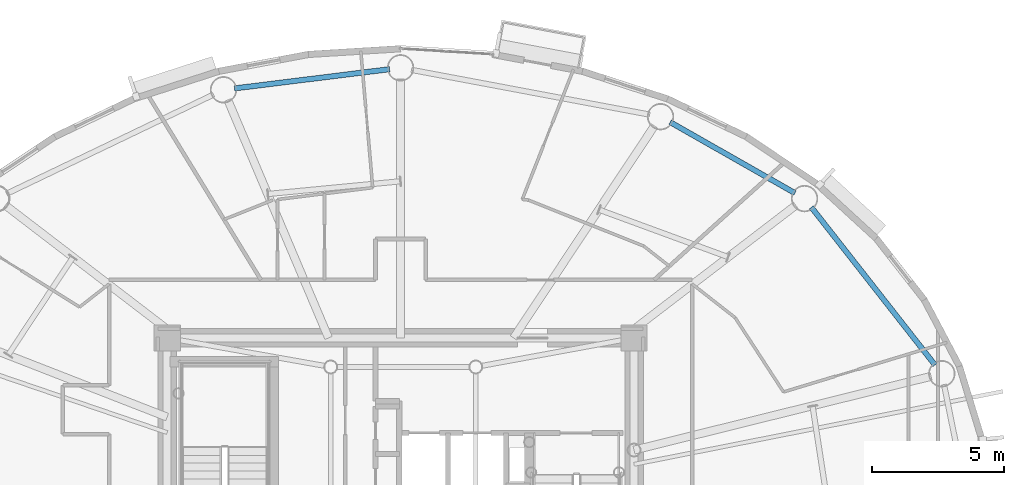
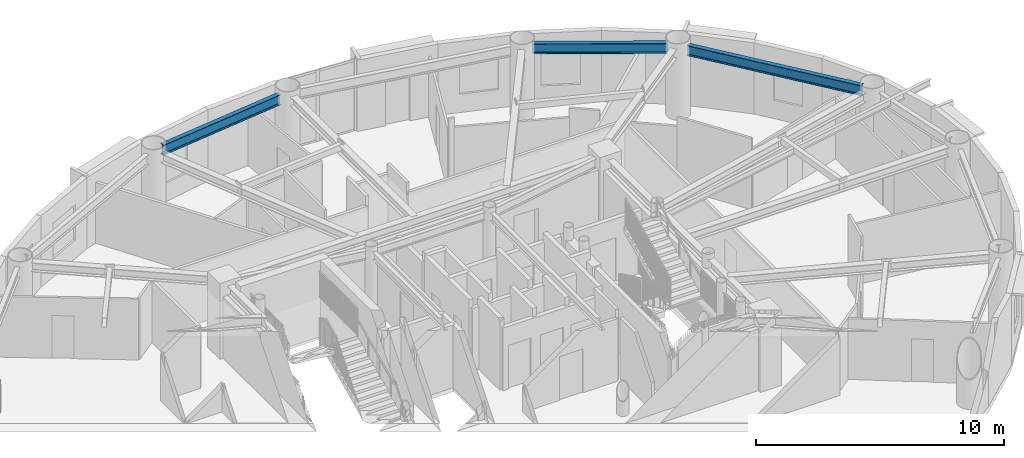
# One storey, part 3 of 18: 3 beams.
"""IFC4 building model written with IfcOpenShell, lengths in metres."""

from ifc_helpers import new_model, si_unit, direction, frame, origin, origin_2d, place, context, subcontext, project, spatial, i_section, extrude, material, material_profile, profile_set, type_object, element, save


model = new_model("IFC4")

# Units and contexts
model_context = context("Model", 3, precision=1e-05, world=origin(), true_north=direction((0.0, 1.0)))
body_context = subcontext(model_context, "Body", "Model", "MODEL_VIEW")
ifc_project = project(units=[si_unit("LENGTHUNIT", "METRE"), si_unit("AREAUNIT", "SQUARE_METRE"), si_unit("VOLUMEUNIT", "CUBIC_METRE"), si_unit("PLANEANGLEUNIT", "RADIAN"), si_unit("MASSUNIT", "GRAM", prefix="KILO")], contexts=[model_context])

# Site, building, storey
site_placement = place(None, origin())
site = spatial("IfcSite", under=ifc_project, at=site_placement, CompositionType="ELEMENT")
building_placement = place(site_placement, origin())
building = spatial("IfcBuilding", under=site, at=building_placement, Name="Linh Dai School and Residence Tower", CompositionType="ELEMENT")
storey_placement = place(building_placement, frame((0.0, 0.0, 291.75)))
storey = spatial("IfcBuildingStorey", under=building, at=storey_placement, Name="L72", CompositionType="ELEMENT", Elevation=291.75)

# Beams
ifc_material = material(Name="Structural Steel S355JR", Category="steel")
ifc_material_profile = material_profile(ifc_material, i_section(OverallWidth=0.199951171875, OverallDepth=0.5, WebThickness=0.01025390625, FlangeThickness=0.01611328125, FilletRadius=0.02099609375, at=origin_2d()), Name="IPE 500")
ifc_profile_set = profile_set([ifc_material_profile], Name="Structural Steel S355JR")
beam_type = type_object("IfcBeamType", Name="BM-RB50", PredefinedType="BEAM", material=ifc_profile_set)
beam_1_placement = place(storey_placement, frame((56.259521484375, 32.425048828125, 3.25), z_axis=(-0.616882739554, 0.787055071542, 0.0), x_axis=(-0.787055071542, -0.616882739554, 0.0)))
element("IfcBeam", 1, at=beam_1_placement, inside=storey, type_object=beam_type, Name="L72 Perimeter Elliptical Ring Beam 02", PredefinedType="BEAM", context=body_context, shape_type="SweptSolid", body=[
    extrude(i_section(OverallWidth=0.199951171875, OverallDepth=0.5, WebThickness=0.01025390625, FlangeThickness=0.01611328125, FilletRadius=0.02099609375, at=origin_2d()), origin(), (0.0, 0.0, 1.0), 7.59521484375),
])
beam_2_placement = place(storey_placement, frame((50.949951171875, 38.94091796875, 3.25), z_axis=(-0.869265548778, 0.494345431564, 0.0), x_axis=(-0.494345431564, -0.869265548778, 0.0)))
element("IfcBeam", 2, at=beam_2_placement, inside=storey, type_object=beam_type, Name="L72 Perimeter Elliptical Ring Beam 03", PredefinedType="BEAM", context=body_context, shape_type="SweptSolid", body=[
    extrude(i_section(OverallWidth=0.199951171875, OverallDepth=0.5, WebThickness=0.01025390625, FlangeThickness=0.01611328125, FilletRadius=0.02099609375, at=origin_2d()), origin(), (0.0, 0.0, 1.0), 5.44189453125),
])
beam_3_placement = place(storey_placement, frame((35.583251953125, 43.638427734375, 3.25), z_axis=(-0.992399134443, -0.123060789678, 0.0), x_axis=(0.123060789678, -0.992399134443, 0.0)))
element("IfcBeam", 3, at=beam_3_placement, inside=storey, type_object=beam_type, Name="L72 Perimeter Elliptical Ring Beam 05", PredefinedType="BEAM", context=body_context, shape_type="SweptSolid", body=[
    extrude(i_section(OverallWidth=0.199951171875, OverallDepth=0.5, WebThickness=0.01025390625, FlangeThickness=0.01611328125, FilletRadius=0.02099609375, at=origin_2d()), origin(), (0.0, 0.0, 1.0), 5.923828125),
])

save(model, "model.ifc")
